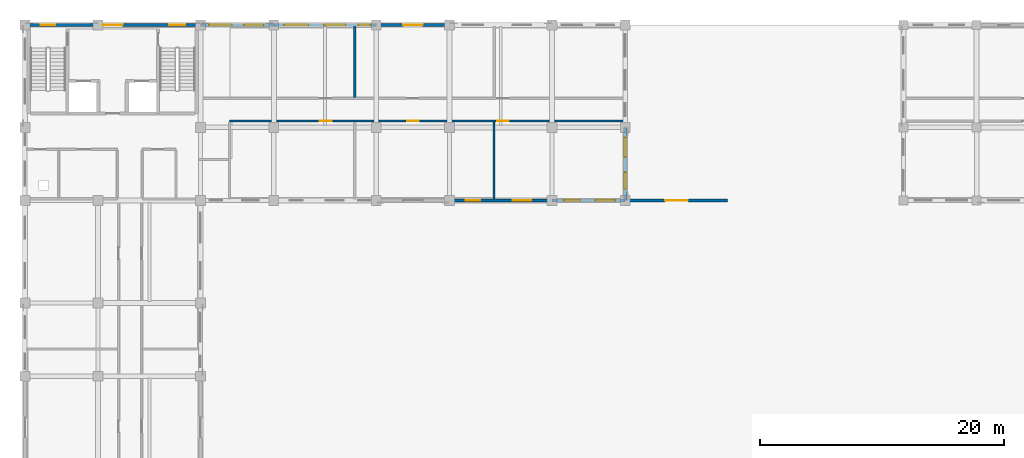
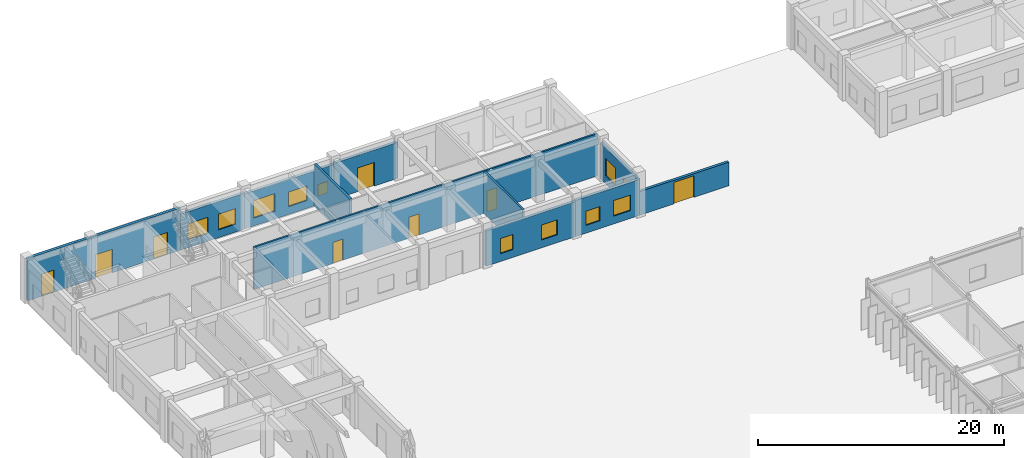
# One storey, part 37 of 67: 12 walls, 11 windows, 8 doors, 19 openings.
"""IFC4 building model written with IfcOpenShell, lengths in metres."""

from ifc_helpers import new_model, si_unit, direction, frame, frame_2d, origin, place, context, subcontext, project, spatial, rectangle, extrude, material, layer, layer_set, type_object, element, fill, save


model = new_model("IFC4")

# Units and contexts
model_context = context("Model", 3, precision=1e-05, world=origin(), true_north=direction((0.0, 1.0)))
body_context = subcontext(model_context, "Body", "Model", "MODEL_VIEW")
ifc_project = project(units=[si_unit("LENGTHUNIT", "METRE"), si_unit("AREAUNIT", "SQUARE_METRE"), si_unit("VOLUMEUNIT", "CUBIC_METRE"), si_unit("PLANEANGLEUNIT", "RADIAN"), si_unit("MASSUNIT", "GRAM", prefix="KILO"), si_unit("THERMODYNAMICTEMPERATUREUNIT", "KELVIN")], contexts=[model_context])

# Site, building, storey
site_placement = place(None, origin())
site = spatial("IfcSite", under=ifc_project, at=site_placement, CompositionType="ELEMENT")
building_placement = place(site_placement, origin())
building = spatial("IfcBuilding", under=site, at=building_placement, Name="Thalorik Housing Commons", CompositionType="ELEMENT")
storey_placement = place(building_placement, origin())
storey = spatial("IfcBuildingStorey", under=building, at=storey_placement, Name="L00", CompositionType="ELEMENT", Elevation=0.0)

# Wall, openings, doors
ifc_material_1 = material(Name="Masonry fire-rated corridor wall", Category="masonry")
ifc_layer_1 = layer(ifc_material_1, 0.1650390625, Name="Masonry fire-rated corridor wall", Category="masonry")
ifc_layer_set_1 = layer_set([ifc_layer_1], Name="Masonry fire-rated corridor wall")
wall_type_1 = type_object("IfcWallType", Name="ARC-WAL-CORR-165", PredefinedType="PARTITIONING", material=ifc_layer_set_1)
wall_1_placement = place(storey_placement, frame((25.14990234375, 115.719970703125, 0.0), z_axis=(0.0, 0.0, 1.0), x_axis=(1.0, 0.0, 0.0)))
wall_1 = element("IfcWall", 1, at=wall_1_placement, inside=storey, type_object=wall_type_1, Name="L00 Block A N Corridor Wall 1", PredefinedType="PARTITIONING", context=body_context, shape_type="SweptSolid", body=[
    extrude(rectangle(XDim=32.315673828125, YDim=0.1650390625, at=frame_2d((16.15771484375, 0.0))), origin(), (0.0, 0.0, 1.0), 4.199951171875),
])
opening_1_placement = place(wall_1_placement, frame((7.4326171875, 0.0, 0.0)))
opening_1 = element("IfcOpeningElement", 2, at=opening_1_placement, cuts=wall_1, Name="Opening ID-0425", PredefinedType="OPENING", context=body_context, shape_type="SweptSolid", body=[
    extrude(rectangle(XDim=0.949951171875, YDim=2.10009765625, at=frame_2d((0.47509765625, 1.050048828125))), frame((0.0, 0.092529296875, 0.0), z_axis=(0.0, -1.0, 0.0), x_axis=(1.0, 0.0, 0.0)), (0.0, 0.0, 1.0), 0.18505859375),
])
opening_2_placement = place(wall_1_placement, frame((14.586181640625, 0.0, 0.0)))
opening_2 = element("IfcOpeningElement", 3, at=opening_2_placement, cuts=wall_1, Name="Opening ID-0426", PredefinedType="OPENING", context=body_context, shape_type="SweptSolid", body=[
    extrude(rectangle(XDim=0.949951171875, YDim=2.10009765625, at=frame_2d((0.47509765625, 1.050048828125))), frame((0.0, 0.092529296875, 0.0), z_axis=(0.0, -1.0, 0.0), x_axis=(1.0, 0.0, 0.0)), (0.0, 0.0, 1.0), 0.18505859375),
])
opening_3_placement = place(wall_1_placement, frame((21.949951171875, 0.0, 0.0)))
opening_3 = element("IfcOpeningElement", 4, at=opening_3_placement, cuts=wall_1, Name="Opening ID-0427", PredefinedType="OPENING", context=body_context, shape_type="SweptSolid", body=[
    extrude(rectangle(XDim=0.949951171875, YDim=2.10009765625, at=frame_2d((0.47509765625, 1.050048828125))), frame((0.0, 0.092529296875, 0.0), z_axis=(0.0, -1.0, 0.0), x_axis=(1.0, 0.0, 0.0)), (0.0, 0.0, 1.0), 0.18505859375),
])
ifc_material_2 = material(Name="Steel S355", Category="steel")
door_type_1 = type_object("IfcDoorType", Name="ARC-DR-FD60-950", OperationType="NOTDEFINED", PredefinedType="DOOR", material=ifc_material_2)
door_1_placement = place(opening_1_placement, origin())
door_1 = element("IfcDoor", 5, at=door_1_placement, inside=storey, type_object=door_type_1, Name="L00 Residents Lounge Entrance Door", OperationType="SINGLE_SWING_RIGHT", OverallHeight=2.10009765625, OverallWidth=0.949951171875, PredefinedType="DOOR", context=body_context, shape_type="SweptSolid", body=[
    extrude(rectangle(XDim=0.949951171875, YDim=2.10009765625, at=frame_2d((0.47509765625, 1.050048828125))), frame((0.0, 0.02490234375, 0.0), z_axis=(0.0, -1.0, 0.0), x_axis=(1.0, 0.0, 0.0)), (0.0, 0.0, 1.0), 0.050048828125),
])
fill(opening_1, door_1)
door_2_placement = place(opening_2_placement, origin())
door_2 = element("IfcDoor", 6, at=door_2_placement, inside=storey, type_object=door_type_1, Name="L00 Bicycle Repair Workshop Entrance Door", OperationType="SINGLE_SWING_LEFT", OverallHeight=2.10009765625, OverallWidth=0.949951171875, PredefinedType="DOOR", context=body_context, shape_type="SweptSolid", body=[
    extrude(rectangle(XDim=0.949951171875, YDim=2.10009765625, at=frame_2d((0.47509765625, 1.050048828125))), frame((0.0, 0.02490234375, 0.0), z_axis=(0.0, -1.0, 0.0), x_axis=(1.0, 0.0, 0.0)), (0.0, 0.0, 1.0), 0.050048828125),
])
fill(opening_2, door_2)
door_3_placement = place(opening_3_placement, origin())
door_3 = element("IfcDoor", 7, at=door_3_placement, inside=storey, type_object=door_type_1, Name="L00 Cooperative Parcel Room Entrance Door", OperationType="SINGLE_SWING_RIGHT", OverallHeight=2.10009765625, OverallWidth=0.949951171875, PredefinedType="DOOR", context=body_context, shape_type="SweptSolid", body=[
    extrude(rectangle(XDim=0.949951171875, YDim=2.10009765625, at=frame_2d((0.47509765625, 1.050048828125))), frame((0.0, 0.02490234375, 0.0), z_axis=(0.0, -1.0, 0.0), x_axis=(1.0, 0.0, 0.0)), (0.0, 0.0, 1.0), 0.050048828125),
])
fill(opening_3, door_3)

# Wall, opening, door
ifc_material_3 = material(Name="White precast concrete C40/50", Category="concrete")
ifc_layer_2 = layer(ifc_material_3, 0.2451171875, Name="White precast concrete C40/50", Category="concrete")
ifc_layer_set_2 = layer_set([ifc_layer_2], Name="White precast concrete C40/50")
wall_type_2 = type_object("IfcWallType", Name="ARC-WAL-EXT-245", PredefinedType="STANDARD", material=ifc_layer_set_2)
wall_2_placement = place(storey_placement, frame((57.60009765625, 109.199951171875, 0.0), z_axis=(0.0, 0.0, 1.0), x_axis=(1.0, 0.0, 0.0)))
wall_2 = element("IfcWall", 8, at=wall_2_placement, inside=storey, type_object=wall_type_2, Name="L00 Exterior Wall WAL-L00-CGATE-05", PredefinedType="STANDARD", context=body_context, shape_type="SweptSolid", body=[
    extrude(rectangle(XDim=8.39990234375, YDim=0.2451171875, at=frame_2d((4.199951171875, 0.0))), origin(), (0.0, 0.0, 1.0), 2.35009765625),
])
opening_4_placement = place(wall_2_placement, frame((3.27490234375, 0.0, 0.0)))
opening_4 = element("IfcOpeningElement", 9, at=opening_4_placement, cuts=wall_2, Name="Opening ED-0459", PredefinedType="OPENING", context=body_context, shape_type="SweptSolid", body=[
    extrude(rectangle(XDim=1.85009765625, YDim=2.14990234375, at=frame_2d((0.925048828125, 1.074951171875))), frame((0.0, 0.132568359375, 0.0), z_axis=(0.0, -1.0, 0.0), x_axis=(1.0, 0.0, 0.0)), (0.0, 0.0, 1.0), 0.26513671875),
])
door_type_2 = type_object("IfcDoorType", Name="ARC-GT-COURT-1850", OperationType="NOTDEFINED", PredefinedType="GATE", material=ifc_material_2)
door_4_placement = place(opening_4_placement, frame((1.85009765625, 0.0, 0.0), z_axis=(0.0, 0.0, 1.0), x_axis=(-1.0, 0.0, 0.0)))
door_4 = element("IfcDoor", 10, at=door_4_placement, inside=storey, type_object=door_type_2, Name="L00 Courtyard Access Gate 5", OperationType="DOUBLE_DOOR_SINGLE_SWING", OverallHeight=2.14990234375, OverallWidth=1.85009765625, PredefinedType="GATE", context=body_context, shape_type="SweptSolid", body=[
    extrude(rectangle(XDim=1.85009765625, YDim=2.14990234375, at=frame_2d((0.925048828125, 1.074951171875))), frame((0.0, 0.02490234375, 0.0), z_axis=(0.0, -1.0, 0.0), x_axis=(1.0, 0.0, 0.0)), (0.0, 0.0, 1.0), 0.050048828125),
])
fill(opening_4, door_4)

# Wall, openings, windows
ifc_layer_3 = layer(ifc_material_3, 0.264892578125, Name="White precast concrete C40/50", Category="concrete")
ifc_layer_set_3 = layer_set([ifc_layer_3], Name="White precast concrete C40/50")
wall_type_3 = type_object("IfcWallType", Name="ARC-WAL-EXT-265", PredefinedType="STANDARD", material=ifc_layer_set_3)
wall_3_placement = place(storey_placement, frame((43.199951171875, 109.199951171875, 0.0), z_axis=(0.0, 0.0, 1.0), x_axis=(1.0, 0.0, 0.0)))
wall_3 = element("IfcWall", 11, at=wall_3_placement, inside=storey, type_object=wall_type_3, Name="L00 Exterior Wall WAL-EXT-L00-A-0004", PredefinedType="STANDARD", context=body_context, shape_type="SweptSolid", body=[
    extrude(rectangle(XDim=8.400146484375, YDim=0.264892578125, at=frame_2d((4.2001953125, 0.0))), origin(), (0.0, 0.0, 1.0), 3.485107421875),
])
opening_5_placement = place(wall_3_placement, frame((1.320068359375, 0.0, 0.780029296875)))
opening_5 = element("IfcOpeningElement", 12, at=opening_5_placement, cuts=wall_3, Name="Opening W-05", PredefinedType="OPENING", context=body_context, shape_type="SweptSolid", body=[
    extrude(rectangle(XDim=1.199951171875, YDim=1.5, at=frame_2d((0.60009765625, 0.75))), frame((0.0, 0.142578125, 0.0), z_axis=(0.0, -1.0, 0.0), x_axis=(1.0, 0.0, 0.0)), (0.0, 0.0, 1.0), 0.284912109375),
])
opening_6_placement = place(wall_3_placement, frame((5.179931640625, 0.0, 0.780029296875)))
opening_6 = element("IfcOpeningElement", 13, at=opening_6_placement, cuts=wall_3, Name="Opening W-10", PredefinedType="OPENING", context=body_context, shape_type="SweptSolid", body=[
    extrude(rectangle(XDim=1.5, YDim=1.5, at=frame_2d((0.75, 0.75))), frame((0.0, 0.142578125, 0.0), z_axis=(0.0, -1.0, 0.0), x_axis=(1.0, 0.0, 0.0)), (0.0, 0.0, 1.0), 0.284912109375),
])
ifc_material_4 = material(Name="Anodised aluminium and solar-control low-E glass", Category="aluminium")
window_type_1 = type_object("IfcWindowType", Name="ARC-WIN-05", PartitioningType="SINGLE_PANEL", PredefinedType="WINDOW", material=ifc_material_4)
window_1_placement = place(opening_5_placement, origin())
window_1 = element("IfcWindow", 14, at=window_1_placement, inside=storey, type_object=window_type_1, Name="L00 Facade Window 7", OverallHeight=1.5, OverallWidth=1.199951171875, PartitioningType="SINGLE_PANEL", PredefinedType="WINDOW", context=body_context, shape_type="SweptSolid", body=[
    extrude(rectangle(XDim=1.199951171875, YDim=1.5, at=frame_2d((0.60009765625, 0.75))), frame((0.0, 0.030029296875, 0.0), z_axis=(0.0, -1.0, 0.0), x_axis=(1.0, 0.0, 0.0)), (0.0, 0.0, 1.0), 0.06005859375),
])
fill(opening_5, window_1)
window_type_2 = type_object("IfcWindowType", Name="ARC-WIN-10", PartitioningType="SINGLE_PANEL", PredefinedType="WINDOW", material=ifc_material_4)
window_2_placement = place(opening_6_placement, origin())
window_2 = element("IfcWindow", 15, at=window_2_placement, inside=storey, type_object=window_type_2, Name="L00 Facade Window 8", OverallHeight=1.5, OverallWidth=1.5, PartitioningType="SINGLE_PANEL", PredefinedType="WINDOW", context=body_context, shape_type="SweptSolid", body=[
    extrude(rectangle(XDim=1.5, YDim=1.5, at=frame_2d((0.75, 0.75))), frame((0.0, 0.030029296875, 0.0), z_axis=(0.0, -1.0, 0.0), x_axis=(1.0, 0.0, 0.0)), (0.0, 0.0, 1.0), 0.06005859375),
])
fill(opening_6, window_2)

wall_4_placement = place(storey_placement, frame((51.60009765625, 109.199951171875, 0.0), z_axis=(0.0, 0.0, 1.0), x_axis=(1.0, 0.0, 0.0)))
wall_4 = element("IfcWall", 16, at=wall_4_placement, inside=storey, type_object=wall_type_3, Name="L00 Exterior Wall WAL-EXT-L00-A-0005", PredefinedType="STANDARD", context=body_context, shape_type="SweptSolid", body=[
    extrude(rectangle(XDim=6.0, YDim=0.264892578125, at=frame_2d((3.0, 0.0))), origin(), (0.0, 0.0, 1.0), 3.5849609375),
])
opening_7_placement = place(wall_4_placement, frame((0.97998046875, 0.0, 0.780029296875)))
opening_7 = element("IfcOpeningElement", 17, at=opening_7_placement, cuts=wall_4, Name="Opening W-06", PredefinedType="OPENING", context=body_context, shape_type="SweptSolid", body=[
    extrude(rectangle(XDim=1.300048828125, YDim=1.39990234375, at=frame_2d((0.64990234375, 0.699951171875))), frame((0.0, 0.142578125, 0.0), z_axis=(0.0, -1.0, 0.0), x_axis=(1.0, 0.0, 0.0)), (0.0, 0.0, 1.0), 0.284912109375),
])
opening_8_placement = place(wall_4_placement, frame((3.570068359375, 0.0, 0.780029296875)))
opening_8 = element("IfcOpeningElement", 18, at=opening_8_placement, cuts=wall_4, Name="Opening W-13", PredefinedType="OPENING", context=body_context, shape_type="SweptSolid", body=[
    extrude(rectangle(XDim=1.60009765625, YDim=1.550048828125, at=frame_2d((0.800048828125, 0.77490234375))), frame((0.0, 0.142578125, 0.0), z_axis=(0.0, -1.0, 0.0), x_axis=(1.0, 0.0, 0.0)), (0.0, 0.0, 1.0), 0.284912109375),
])
window_type_3 = type_object("IfcWindowType", Name="ARC-WIN-06", PartitioningType="SINGLE_PANEL", PredefinedType="WINDOW", material=ifc_material_4)
window_3_placement = place(opening_7_placement, origin())
window_3 = element("IfcWindow", 19, at=window_3_placement, inside=storey, type_object=window_type_3, Name="L00 Facade Window 9", OverallHeight=1.39990234375, OverallWidth=1.300048828125, PartitioningType="SINGLE_PANEL", PredefinedType="WINDOW", context=body_context, shape_type="SweptSolid", body=[
    extrude(rectangle(XDim=1.300048828125, YDim=1.39990234375, at=frame_2d((0.64990234375, 0.699951171875))), frame((0.0, 0.030029296875, 0.0), z_axis=(0.0, -1.0, 0.0), x_axis=(1.0, 0.0, 0.0)), (0.0, 0.0, 1.0), 0.06005859375),
])
fill(opening_7, window_3)
window_type_4 = type_object("IfcWindowType", Name="ARC-WIN-13", PartitioningType="DOUBLE_PANEL_VERTICAL", PredefinedType="WINDOW", material=ifc_material_4)
window_4_placement = place(opening_8_placement, origin())
window_4 = element("IfcWindow", 20, at=window_4_placement, inside=storey, type_object=window_type_4, Name="L00 Facade Window 10", OverallHeight=1.550048828125, OverallWidth=1.60009765625, PartitioningType="DOUBLE_PANEL_VERTICAL", PredefinedType="WINDOW", context=body_context, shape_type="SweptSolid", body=[
    extrude(rectangle(XDim=1.60009765625, YDim=1.550048828125, at=frame_2d((0.800048828125, 0.77490234375))), frame((0.0, 0.030029296875, 0.0), z_axis=(0.0, -1.0, 0.0), x_axis=(1.0, 0.0, 0.0)), (0.0, 0.0, 1.0), 0.06005859375),
])
fill(opening_8, window_4)

wall_5_placement = place(storey_placement, frame((57.60009765625, 109.199951171875, 0.0), z_axis=(0.0, 0.0, 1.0), x_axis=(0.0, 1.0, 0.0)))
wall_5 = element("IfcWall", 21, at=wall_5_placement, inside=storey, type_object=wall_type_3, Name="L00 Exterior Wall WAL-EXT-L00-A-0006", PredefinedType="STANDARD", context=body_context, shape_type="SweptSolid", body=[
    extrude(rectangle(XDim=6.0, YDim=0.264892578125, at=frame_2d((3.0, 0.0))), origin(), (0.0, 0.0, 1.0), 3.5849609375),
])
opening_9_placement = place(wall_5_placement, frame((0.955078125, 0.0, 0.780029296875)))
opening_9 = element("IfcOpeningElement", 22, at=opening_9_placement, cuts=wall_5, Name="Opening W-07", PredefinedType="OPENING", context=body_context, shape_type="SweptSolid", body=[
    extrude(rectangle(XDim=1.35009765625, YDim=1.550048828125, at=frame_2d((0.675048828125, 0.77490234375))), frame((0.0, 0.142578125, 0.0), z_axis=(0.0, -1.0, 0.0), x_axis=(1.0, 0.0, 0.0)), (0.0, 0.0, 1.0), 0.284912109375),
])
opening_10_placement = place(wall_5_placement, frame((3.570068359375, 0.0, 0.780029296875)))
opening_10 = element("IfcOpeningElement", 23, at=opening_10_placement, cuts=wall_5, Name="Opening W-14", PredefinedType="OPENING", context=body_context, shape_type="SweptSolid", body=[
    extrude(rectangle(XDim=1.60009765625, YDim=1.75, at=frame_2d((0.800048828125, 0.875))), frame((0.0, 0.142578125, 0.0), z_axis=(0.0, -1.0, 0.0), x_axis=(1.0, 0.0, 0.0)), (0.0, 0.0, 1.0), 0.284912109375),
])
window_type_5 = type_object("IfcWindowType", Name="ARC-WIN-07", PartitioningType="SINGLE_PANEL", PredefinedType="WINDOW", material=ifc_material_4)
window_5_placement = place(opening_9_placement, origin())
window_5 = element("IfcWindow", 24, at=window_5_placement, inside=storey, type_object=window_type_5, Name="L00 Facade Window 11", OverallHeight=1.550048828125, OverallWidth=1.35009765625, PartitioningType="SINGLE_PANEL", PredefinedType="WINDOW", context=body_context, shape_type="SweptSolid", body=[
    extrude(rectangle(XDim=1.35009765625, YDim=1.550048828125, at=frame_2d((0.675048828125, 0.77490234375))), frame((0.0, 0.030029296875, 0.0), z_axis=(0.0, -1.0, 0.0), x_axis=(1.0, 0.0, 0.0)), (0.0, 0.0, 1.0), 0.06005859375),
])
fill(opening_9, window_5)
window_type_6 = type_object("IfcWindowType", Name="ARC-WIN-14", PartitioningType="DOUBLE_PANEL_VERTICAL", PredefinedType="WINDOW", material=ifc_material_4)
window_6_placement = place(opening_10_placement, origin())
window_6 = element("IfcWindow", 25, at=window_6_placement, inside=storey, type_object=window_type_6, Name="L00 Facade Window 12", OverallHeight=1.75, OverallWidth=1.60009765625, PartitioningType="DOUBLE_PANEL_VERTICAL", PredefinedType="WINDOW", context=body_context, shape_type="SweptSolid", body=[
    extrude(rectangle(XDim=1.60009765625, YDim=1.75, at=frame_2d((0.800048828125, 0.875))), frame((0.0, 0.030029296875, 0.0), z_axis=(0.0, -1.0, 0.0), x_axis=(1.0, 0.0, 0.0)), (0.0, 0.0, 1.0), 0.06005859375),
])
fill(opening_10, window_6)

# Wall, opening, door
wall_6_placement = place(storey_placement, frame((43.199951171875, 123.60009765625, 0.0), z_axis=(0.0, 0.0, 1.0), x_axis=(-1.0, 0.0, 0.0)))
wall_6 = element("IfcWall", 26, at=wall_6_placement, inside=storey, type_object=wall_type_3, Name="L00 Exterior Wall WAL-EXT-L00-A-0010", PredefinedType="STANDARD", context=body_context, shape_type="SweptSolid", body=[
    extrude(rectangle(XDim=6.0, YDim=0.264892578125, at=frame_2d((3.0, 0.0))), origin(), (0.0, 0.0, 1.0), 3.5849609375),
])
opening_11_placement = place(wall_6_placement, frame((2.199951171875, 0.0, 0.0)))
opening_11 = element("IfcOpeningElement", 27, at=opening_11_placement, cuts=wall_6, Name="Opening ED-0004", PredefinedType="OPENING", context=body_context, shape_type="SweptSolid", body=[
    extrude(rectangle(XDim=1.60009765625, YDim=2.35009765625, at=frame_2d((0.800048828125, 1.175048828125))), frame((0.0, 0.142578125, 0.0), z_axis=(0.0, -1.0, 0.0), x_axis=(1.0, 0.0, 0.0)), (0.0, 0.0, 1.0), 0.284912109375),
])
ifc_material_5 = material(Name="Anodised aluminium and laminated safety glass", Category="aluminium")
door_type_3 = type_object("IfcDoorType", Name="ARC-DR-EXT-LOB-1600", OperationType="NOTDEFINED", PredefinedType="DOOR", material=ifc_material_5)
door_5_placement = place(opening_11_placement, frame((1.60009765625, 0.0, 0.0), z_axis=(0.0, 0.0, 1.0), x_axis=(-1.0, 0.0, 0.0)))
door_5 = element("IfcDoor", 28, at=door_5_placement, inside=storey, type_object=door_type_3, Name="L00 Block A Courtyard Entrance Door", OperationType="DOUBLE_DOOR_SINGLE_SWING", OverallHeight=2.35009765625, OverallWidth=1.60009765625, PredefinedType="DOOR", context=body_context, shape_type="SweptSolid", body=[
    extrude(rectangle(XDim=1.60009765625, YDim=2.35009765625, at=frame_2d((0.800048828125, 1.175048828125))), frame((0.0, 0.02490234375, 0.0), z_axis=(0.0, -1.0, 0.0), x_axis=(1.0, 0.0, 0.0)), (0.0, 0.0, 1.0), 0.050048828125),
])
fill(opening_11, door_5)

# Wall, openings, windows
wall_7_placement = place(storey_placement, frame((37.199951171875, 123.60009765625, 0.0), z_axis=(0.0, 0.0, 1.0), x_axis=(-1.0, 0.0, 0.0)))
wall_7 = element("IfcWall", 29, at=wall_7_placement, inside=storey, type_object=wall_type_3, Name="L00 Exterior Wall WAL-EXT-L00-A-0011", PredefinedType="STANDARD", context=body_context, shape_type="SweptSolid", body=[
    extrude(rectangle(XDim=8.39990234375, YDim=0.264892578125, at=frame_2d((4.199951171875, 0.0))), origin(), (0.0, 0.0, 1.0), 3.485107421875),
])
opening_12_placement = place(wall_7_placement, frame((0.5, 0.0, 0.780029296875)))
opening_12 = element("IfcOpeningElement", 30, at=opening_12_placement, cuts=wall_7, Name="Opening W-43", PredefinedType="OPENING", context=body_context, shape_type="SweptSolid", body=[
    extrude(rectangle(XDim=0.949951171875, YDim=1.14990234375, at=frame_2d((0.47509765625, 0.574951171875))), frame((0.0, 0.142578125, 0.0), z_axis=(0.0, -1.0, 0.0), x_axis=(1.0, 0.0, 0.0)), (0.0, 0.0, 1.0), 0.284912109375),
])
opening_13_placement = place(wall_7_placement, frame((2.532470703125, 0.0, 0.780029296875)))
opening_13 = element("IfcOpeningElement", 31, at=opening_13_placement, cuts=wall_7, Name="Opening W-17", PredefinedType="OPENING", context=body_context, shape_type="SweptSolid", body=[
    extrude(rectangle(XDim=1.75, YDim=1.449951171875, at=frame_2d((0.875, 0.72509765625))), frame((0.0, 0.142578125, 0.0), z_axis=(0.0, -1.0, 0.0), x_axis=(1.0, 0.0, 0.0)), (0.0, 0.0, 1.0), 0.284912109375),
])
opening_14_placement = place(wall_7_placement, frame((5.5625, 0.0, 0.780029296875)))
opening_14 = element("IfcOpeningElement", 32, at=opening_14_placement, cuts=wall_7, Name="Opening W-24", PredefinedType="OPENING", context=body_context, shape_type="SweptSolid", body=[
    extrude(rectangle(XDim=2.0, YDim=1.75, at=frame_2d((1.0, 0.875))), frame((0.0, 0.142578125, 0.0), z_axis=(0.0, -1.0, 0.0), x_axis=(1.0, 0.0, 0.0)), (0.0, 0.0, 1.0), 0.284912109375),
])
window_type_7 = type_object("IfcWindowType", Name="ARC-WIN-17", PartitioningType="DOUBLE_PANEL_VERTICAL", PredefinedType="WINDOW", material=ifc_material_4)
window_7_placement = place(opening_13_placement, origin())
window_7 = element("IfcWindow", 33, at=window_7_placement, inside=storey, type_object=window_type_7, Name="L00 Facade Window 21", OverallHeight=1.449951171875, OverallWidth=1.75, PartitioningType="DOUBLE_PANEL_VERTICAL", PredefinedType="WINDOW", context=body_context, shape_type="SweptSolid", body=[
    extrude(rectangle(XDim=1.75, YDim=1.449951171875, at=frame_2d((0.875, 0.72509765625))), frame((0.0, 0.030029296875, 0.0), z_axis=(0.0, -1.0, 0.0), x_axis=(1.0, 0.0, 0.0)), (0.0, 0.0, 1.0), 0.06005859375),
])
fill(opening_13, window_7)
window_type_8 = type_object("IfcWindowType", Name="ARC-WIN-24", PartitioningType="DOUBLE_PANEL_VERTICAL", PredefinedType="WINDOW", material=ifc_material_4)
window_8_placement = place(opening_14_placement, origin())
window_8 = element("IfcWindow", 34, at=window_8_placement, inside=storey, type_object=window_type_8, Name="L00 Facade Window 22", OverallHeight=1.75, OverallWidth=2.0, PartitioningType="DOUBLE_PANEL_VERTICAL", PredefinedType="WINDOW", context=body_context, shape_type="SweptSolid", body=[
    extrude(rectangle(XDim=2.0, YDim=1.75, at=frame_2d((1.0, 0.875))), frame((0.0, 0.030029296875, 0.0), z_axis=(0.0, -1.0, 0.0), x_axis=(1.0, 0.0, 0.0)), (0.0, 0.0, 1.0), 0.06005859375),
])
fill(opening_14, window_8)
window_type_9 = type_object("IfcWindowType", Name="ARC-WIN-43", PartitioningType="SINGLE_PANEL", PredefinedType="WINDOW", material=ifc_material_4)
window_9_placement = place(opening_12_placement, origin())
window_9 = element("IfcWindow", 35, at=window_9_placement, inside=storey, type_object=window_type_9, Name="L00 Facade Window 20", OverallHeight=1.14990234375, OverallWidth=0.949951171875, PartitioningType="SINGLE_PANEL", PredefinedType="WINDOW", context=body_context, shape_type="SweptSolid", body=[
    extrude(rectangle(XDim=0.949951171875, YDim=1.14990234375, at=frame_2d((0.47509765625, 0.574951171875))), frame((0.0, 0.030029296875, 0.0), z_axis=(0.0, -1.0, 0.0), x_axis=(1.0, 0.0, 0.0)), (0.0, 0.0, 1.0), 0.06005859375),
])
fill(opening_12, window_9)

wall_8_placement = place(storey_placement, frame((28.800048828125, 123.60009765625, 0.0), z_axis=(0.0, 0.0, 1.0), x_axis=(-1.0, 0.0, 0.0)))
wall_8 = element("IfcWall", 36, at=wall_8_placement, inside=storey, type_object=wall_type_3, Name="L00 Exterior Wall WAL-EXT-L00-A-0012", PredefinedType="STANDARD", context=body_context, shape_type="SweptSolid", body=[
    extrude(rectangle(XDim=6.0, YDim=0.264892578125, at=frame_2d((3.0, 0.0))), origin(), (0.0, 0.0, 1.0), 3.5849609375),
])
opening_15_placement = place(wall_8_placement, frame((0.830078125, 0.0, 0.780029296875)))
opening_15 = element("IfcOpeningElement", 37, at=opening_15_placement, cuts=wall_8, Name="Opening W-13", PredefinedType="OPENING", context=body_context, shape_type="SweptSolid", body=[
    extrude(rectangle(XDim=1.60009765625, YDim=1.550048828125, at=frame_2d((0.800048828125, 0.77490234375))), frame((0.0, 0.142578125, 0.0), z_axis=(0.0, -1.0, 0.0), x_axis=(1.0, 0.0, 0.0)), (0.0, 0.0, 1.0), 0.284912109375),
])
opening_16_placement = place(wall_8_placement, frame((3.445068359375, 0.0, 0.780029296875)))
opening_16 = element("IfcOpeningElement", 38, at=opening_16_placement, cuts=wall_8, Name="Opening W-20", PredefinedType="OPENING", context=body_context, shape_type="SweptSolid", body=[
    extrude(rectangle(XDim=1.85009765625, YDim=1.60009765625, at=frame_2d((0.925048828125, 0.800048828125))), frame((0.0, 0.142578125, 0.0), z_axis=(0.0, -1.0, 0.0), x_axis=(1.0, 0.0, 0.0)), (0.0, 0.0, 1.0), 0.284912109375),
])
window_10_placement = place(opening_15_placement, origin())
window_10 = element("IfcWindow", 39, at=window_10_placement, inside=storey, type_object=window_type_4, Name="L00 Facade Window 23", OverallHeight=1.550048828125, OverallWidth=1.60009765625, PartitioningType="DOUBLE_PANEL_VERTICAL", PredefinedType="WINDOW", context=body_context, shape_type="SweptSolid", body=[
    extrude(rectangle(XDim=1.60009765625, YDim=1.550048828125, at=frame_2d((0.800048828125, 0.77490234375))), frame((0.0, 0.030029296875, 0.0), z_axis=(0.0, -1.0, 0.0), x_axis=(1.0, 0.0, 0.0)), (0.0, 0.0, 1.0), 0.06005859375),
])
fill(opening_15, window_10)
window_type_10 = type_object("IfcWindowType", Name="ARC-WIN-20", PartitioningType="DOUBLE_PANEL_VERTICAL", PredefinedType="WINDOW", material=ifc_material_4)
window_11_placement = place(opening_16_placement, origin())
window_11 = element("IfcWindow", 40, at=window_11_placement, inside=storey, type_object=window_type_10, Name="L00 Facade Window 24", OverallHeight=1.60009765625, OverallWidth=1.85009765625, PartitioningType="DOUBLE_PANEL_VERTICAL", PredefinedType="WINDOW", context=body_context, shape_type="SweptSolid", body=[
    extrude(rectangle(XDim=1.85009765625, YDim=1.60009765625, at=frame_2d((0.925048828125, 0.800048828125))), frame((0.0, 0.030029296875, 0.0), z_axis=(0.0, -1.0, 0.0), x_axis=(1.0, 0.0, 0.0)), (0.0, 0.0, 1.0), 0.06005859375),
])
fill(opening_16, window_11)

# Wall, openings, doors
wall_9_placement = place(storey_placement, frame((22.800048828125, 123.60009765625, 0.0), z_axis=(0.0, 0.0, 1.0), x_axis=(-1.0, 0.0, 0.0)))
wall_9 = element("IfcWall", 41, at=wall_9_placement, inside=storey, type_object=wall_type_3, Name="L00 Exterior Wall WAL-EXT-L00-A-0013", PredefinedType="STANDARD", context=body_context, shape_type="SweptSolid", body=[
    extrude(rectangle(XDim=8.400146484375, YDim=0.264892578125, at=frame_2d((4.2001953125, 0.0))), origin(), (0.0, 0.0, 1.0), 4.199951171875),
])
opening_17_placement = place(wall_9_placement, frame((6.39990234375, 0.0, 0.0)))
opening_17 = element("IfcOpeningElement", 42, at=opening_17_placement, cuts=wall_9, Name="Opening ED-0005", PredefinedType="OPENING", context=body_context, shape_type="SweptSolid", body=[
    extrude(rectangle(XDim=1.60009765625, YDim=2.35009765625, at=frame_2d((0.800048828125, 1.175048828125))), frame((0.0, 0.142578125, 0.0), z_axis=(0.0, -1.0, 0.0), x_axis=(1.0, 0.0, 0.0)), (0.0, 0.0, 1.0), 0.284912109375),
])
opening_18_placement = place(wall_9_placement, frame((1.25, 0.0, 0.0)))
opening_18 = element("IfcOpeningElement", 43, at=opening_18_placement, cuts=wall_9, Name="Opening ED-0006", PredefinedType="OPENING", context=body_context, shape_type="SweptSolid", body=[
    extrude(rectangle(XDim=1.300048828125, YDim=2.199951171875, at=frame_2d((0.64990234375, 1.10009765625))), frame((0.0, 0.142578125, 0.0), z_axis=(0.0, -1.0, 0.0), x_axis=(1.0, 0.0, 0.0)), (0.0, 0.0, 1.0), 0.284912109375),
])
door_type_4 = type_object("IfcDoorType", Name="ARC-DR-EXT-EXIT-1300", OperationType="NOTDEFINED", PredefinedType="DOOR", material=ifc_material_5)
door_6_placement = place(opening_18_placement, frame((1.300048828125, 0.0, 0.0), z_axis=(0.0, 0.0, 1.0), x_axis=(-1.0, 0.0, 0.0)))
door_6 = element("IfcDoor", 44, at=door_6_placement, inside=storey, type_object=door_type_4, Name="L00 Stair ST-A2 Final Street Exit Door", OperationType="SINGLE_SWING_LEFT", OverallHeight=2.199951171875, OverallWidth=1.300048828125, PredefinedType="DOOR", context=body_context, shape_type="SweptSolid", body=[
    extrude(rectangle(XDim=1.300048828125, YDim=2.199951171875, at=frame_2d((0.64990234375, 1.10009765625))), frame((0.0, 0.02490234375, 0.0), z_axis=(0.0, -1.0, 0.0), x_axis=(1.0, 0.0, 0.0)), (0.0, 0.0, 1.0), 0.050048828125),
])
fill(opening_18, door_6)
door_7_placement = place(opening_17_placement, frame((1.60009765625, 0.0, 0.0), z_axis=(0.0, 0.0, 1.0), x_axis=(-1.0, 0.0, 0.0)))
door_7 = element("IfcDoor", 45, at=door_7_placement, inside=storey, type_object=door_type_3, Name="L00 Block A Main Lobby Street Entrance Door", OperationType="DOUBLE_DOOR_SINGLE_SWING", OverallHeight=2.35009765625, OverallWidth=1.60009765625, PredefinedType="DOOR", context=body_context, shape_type="SweptSolid", body=[
    extrude(rectangle(XDim=1.60009765625, YDim=2.35009765625, at=frame_2d((0.800048828125, 1.175048828125))), frame((0.0, 0.02490234375, 0.0), z_axis=(0.0, -1.0, 0.0), x_axis=(1.0, 0.0, 0.0)), (0.0, 0.0, 1.0), 0.050048828125),
])
fill(opening_17, door_7)

# Wall, opening, door
wall_10_placement = place(storey_placement, frame((14.39990234375, 123.60009765625, 0.0), z_axis=(0.0, 0.0, 1.0), x_axis=(-1.0, 0.0, 0.0)))
wall_10 = element("IfcWall", 46, at=wall_10_placement, inside=storey, type_object=wall_type_3, Name="L00 Exterior Wall WAL-EXT-L00-A-0014", PredefinedType="STANDARD", context=body_context, shape_type="SweptSolid", body=[
    extrude(rectangle(XDim=6.0, YDim=0.264892578125, at=frame_2d((3.0, 0.0))), origin(), (0.0, 0.0, 1.0), 4.199951171875),
])
opening_19_placement = place(wall_10_placement, frame((3.5, 0.0, 0.0)))
opening_19 = element("IfcOpeningElement", 47, at=opening_19_placement, cuts=wall_10, Name="Opening ED-0007", PredefinedType="OPENING", context=body_context, shape_type="SweptSolid", body=[
    extrude(rectangle(XDim=1.199951171875, YDim=2.199951171875, at=frame_2d((0.60009765625, 1.10009765625))), frame((0.0, 0.142578125, 0.0), z_axis=(0.0, -1.0, 0.0), x_axis=(1.0, 0.0, 0.0)), (0.0, 0.0, 1.0), 0.284912109375),
])
door_type_5 = type_object("IfcDoorType", Name="ARC-DR-EXT-EXIT-1200", OperationType="NOTDEFINED", PredefinedType="DOOR", material=ifc_material_5)
door_8_placement = place(opening_19_placement, frame((1.199951171875, 0.0, 0.0), z_axis=(0.0, 0.0, 1.0), x_axis=(-1.0, 0.0, 0.0)))
door_8 = element("IfcDoor", 48, at=door_8_placement, inside=storey, type_object=door_type_5, Name="L00 Stair ST-A1 Final Street Exit Door", OperationType="SINGLE_SWING_RIGHT", OverallHeight=2.199951171875, OverallWidth=1.199951171875, PredefinedType="DOOR", context=body_context, shape_type="SweptSolid", body=[
    extrude(rectangle(XDim=1.199951171875, YDim=2.199951171875, at=frame_2d((0.60009765625, 1.10009765625))), frame((0.0, 0.02490234375, 0.0), z_axis=(0.0, -1.0, 0.0), x_axis=(1.0, 0.0, 0.0)), (0.0, 0.0, 1.0), 0.050048828125),
])
fill(opening_19, door_8)

# Walls
ifc_material_6 = material(Name="Masonry acoustic blockwork wall", Category="masonry")
ifc_layer_4 = layer(ifc_material_6, 0.18505859375, Name="Masonry acoustic blockwork wall", Category="masonry")
ifc_layer_set_4 = layer_set([ifc_layer_4], Name="Masonry acoustic blockwork wall")
wall_type_4 = type_object("IfcWallType", Name="ARC-WAL-PARTY-185", PredefinedType="PARTITIONING", material=ifc_layer_set_4)
wall_11_placement = place(storey_placement, frame((46.85009765625, 109.33447265625, 0.0), z_axis=(0.0, 0.0, 1.0), x_axis=(0.0, 1.0, 0.0)))
element("IfcWall", 49, at=wall_11_placement, inside=storey, type_object=wall_type_4, Name="L00 Inter-Tenancy Wall 2A", PredefinedType="PARTITIONING", context=body_context, shape_type="SweptSolid", body=[
    extrude(rectangle(XDim=6.301025390625, YDim=0.18505859375, at=frame_2d((3.150390625, 0.0))), origin(), (0.0, 0.0, 1.0), 4.199951171875),
])
ifc_material_7 = material(Name="Precast concrete C40/50 acoustic wall", Category="concrete")
ifc_layer_5 = layer(ifc_material_7, 0.219970703125, Name="Precast concrete C40/50 acoustic wall", Category="concrete")
ifc_layer_set_5 = layer_set([ifc_layer_5], Name="Precast concrete C40/50 acoustic wall")
wall_type_5 = type_object("IfcWallType", Name="ARC-WAL-PARTY-220", PredefinedType="PARTITIONING", material=ifc_layer_set_5)
wall_12_placement = place(storey_placement, frame((35.43994140625, 117.656982421875, 0.0), z_axis=(0.0, 0.0, 1.0), x_axis=(0.0, 1.0, 0.0)))
element("IfcWall", 50, at=wall_12_placement, inside=storey, type_object=wall_type_5, Name="L00 Inter-Tenancy Wall 1B", PredefinedType="PARTITIONING", context=body_context, shape_type="SweptSolid", body=[
    extrude(rectangle(XDim=5.80859375, YDim=0.219970703125, at=frame_2d((2.904296875, 0.0))), origin(), (0.0, 0.0, 1.0), 4.199951171875),
])

save(model, "model.ifc")
